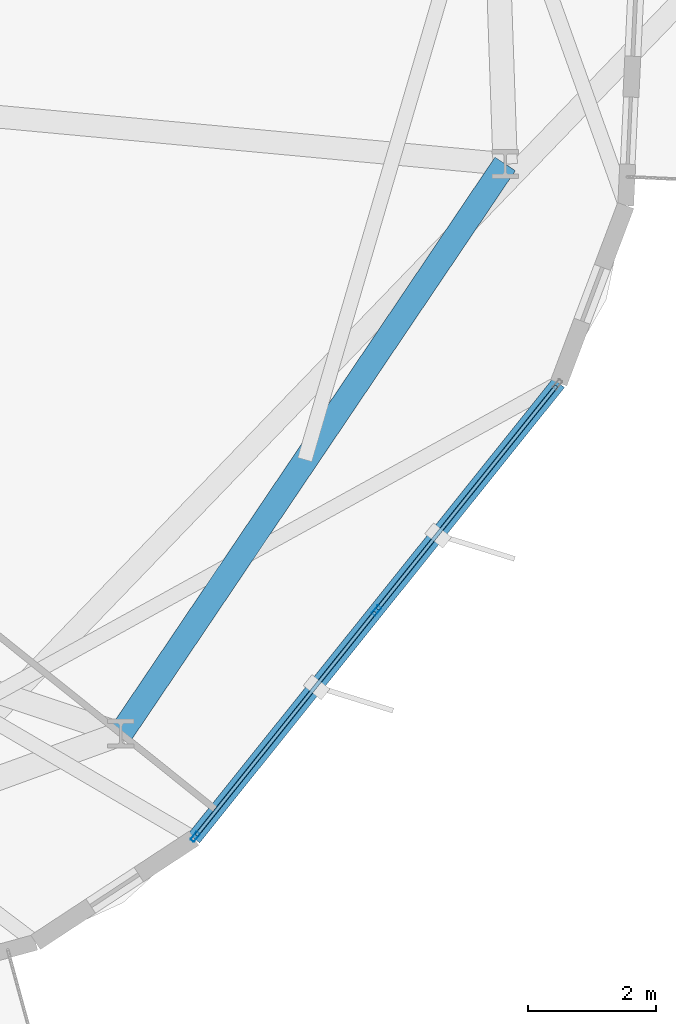
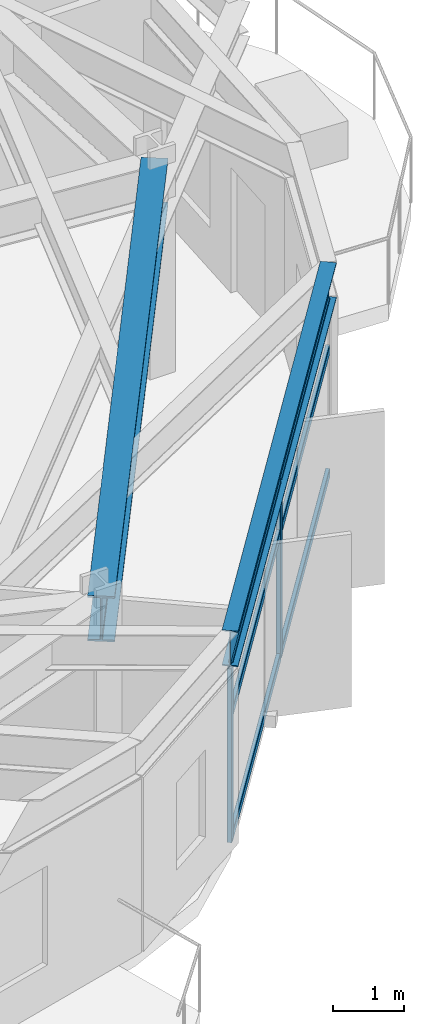
# One storey, part 8 of 25: 8 members, 2 beams, 1 element without a shape of its own.
"""IFC4 building model written with IfcOpenShell, lengths in metres."""

import ifcopenshell
import ifcopenshell.guid

model = None  # the IFC model being written
_history = None  # IfcOwnerHistory: only IFC2X3 demands one
_inside = {}  # id of a spatial element -> (the spatial element, [elements in it])
_under = {}  # id of a project, library or spatial element -> (it, [spatial elements below it])
_declared = {}  # id of a project -> (the project, [libraries it declares])
_typed = {}  # id of a type object -> (the type object, [elements of that type])
_made_of = {}  # id of a material, layer set ... -> (it, [elements and type objects made of it])


def new_model(schema):
    """Start an empty IFC model of exactly this schema.

    Asked for "IFC4X3", IfcOpenShell would pick the latest addendum, in which some entities
    have other attributes; the version numbers below select the first issue.
    IFC2X3 requires an IfcOwnerHistory on every rooted entity: one is made here for all.
    """
    global model, _history
    if schema == "IFC4X3":
        model = ifcopenshell.file(schema_version=(4, 3, 0, 0))
    else:
        model = ifcopenshell.file(schema=schema)
    _inside.clear()
    _under.clear()
    _declared.clear()
    _typed.clear()
    _made_of.clear()
    _history = None
    if model.schema == "IFC2X3":
        org = make("IfcOrganization", Name="unknown")
        user = make(
            "IfcPersonAndOrganization",
            ThePerson=make("IfcPerson", FamilyName="unknown"),
            TheOrganization=org,
        )
        app = make(
            "IfcApplication",
            ApplicationDeveloper=org,
            Version="unknown",
            ApplicationFullName="unknown",
            ApplicationIdentifier="unknown",
        )
        _history = make(
            "IfcOwnerHistory",
            OwningUser=user,
            OwningApplication=app,
            ChangeAction="ADDED",
            CreationDate=0,
        )
    return model


def make(cls, **values):
    """One entity of the class cls with the attributes given. An attribute that is None is left unset."""
    return model.create_entity(
        cls, **{name: value for name, value in values.items() if value is not None}
    )


def rooted(cls, **values):
    """An entity with a GlobalId (a new one), such as an element, a storey or a relation."""
    return make(cls, GlobalId=ifcopenshell.guid.new(), OwnerHistory=_history, **values)


def si_unit(unit_type, name, prefix=None):
    """IfcSIUnit, for example si_unit("LENGTHUNIT", "METRE", prefix="MILLI")."""
    return make("IfcSIUnit", UnitType=unit_type, Prefix=prefix, Name=name)


def assignment(units):
    """IfcUnitAssignment: the units of a project."""
    return None if units is None else make("IfcUnitAssignment", Units=units)


def point(xyz):
    """IfcCartesianPoint."""
    return None if xyz is None else make("IfcCartesianPoint", Coordinates=xyz)


def direction(xyz):
    """IfcDirection."""
    return None if xyz is None else make("IfcDirection", DirectionRatios=xyz)


def frame(location, z_axis=None, x_axis=None):
    """IfcAxis2Placement3D, a coordinate frame: its origin and axes. An axis left out is left unset."""
    return make(
        "IfcAxis2Placement3D",
        Location=point(location),
        Axis=direction(z_axis),
        RefDirection=direction(x_axis),
    )


def frame_2d(location, x_axis=None):
    """IfcAxis2Placement2D, a coordinate frame in the plane: its origin and x axis."""
    return make(
        "IfcAxis2Placement2D", Location=point(location), RefDirection=direction(x_axis)
    )


def origin():
    """The frame at (0, 0, 0) with its axes left unset."""
    return frame((0.0, 0.0, 0.0))


def origin_2d():
    """The frame at (0, 0) in the plane with its x axis left unset."""
    return frame_2d((0.0, 0.0))


def place(relative_to, where):
    """IfcLocalPlacement: puts the frame where relative to a parent placement (None: the world)."""
    return make(
        "IfcLocalPlacement", PlacementRelTo=relative_to, RelativePlacement=where
    )


def context(
    kind, dimensions, precision=None, world=None, true_north=None, identifier=None
):
    """IfcGeometricRepresentationContext, for example the 3D "Model" context."""
    return make(
        "IfcGeometricRepresentationContext",
        ContextIdentifier=identifier,
        ContextType=kind,
        CoordinateSpaceDimension=dimensions,
        Precision=precision,
        WorldCoordinateSystem=world,
        TrueNorth=true_north,
    )


def subcontext(parent, identifier, kind, view, scale=None):
    """IfcGeometricRepresentationSubContext, for example "Body" below "Model"."""
    return make(
        "IfcGeometricRepresentationSubContext",
        ContextIdentifier=identifier,
        ContextType=kind,
        ParentContext=parent,
        TargetScale=scale,
        TargetView=view,
    )


def project(units=None, contexts=None):
    """IfcProject with its units and contexts."""
    return rooted(
        "IfcProject",
        Name="project",
        RepresentationContexts=contexts,
        UnitsInContext=assignment(units),
    )


def spatial(cls, under=None, at=None, **own):
    """A site, building, storey or space (cls), placed at a placement, below another one or the project."""
    s = rooted(cls, ObjectPlacement=at, **own)
    if under is not None:
        _under.setdefault(under.id(), (under, []))[1].append(s)
    return s


def profile(cls, at=None, kind="AREA", **sizes):
    """A parametric profile (cls). Its sizes go by their IFC names, for example OverallWidth=200.0."""
    return make(cls, ProfileType=kind, Position=at, **sizes)


def hollow_rectangle(**sizes):
    """IfcRectangleHollowProfileDef."""
    return profile("IfcRectangleHollowProfileDef", **sizes)


def i_section(**sizes):
    """IfcIShapeProfileDef."""
    return profile("IfcIShapeProfileDef", **sizes)


def extrude(swept, where, along, depth):
    """IfcExtrudedAreaSolid: the profile swept, set in the frame where, extruded along a direction by depth."""
    return make(
        "IfcExtrudedAreaSolid",
        SweptArea=swept,
        Position=where,
        ExtrudedDirection=direction(along),
        Depth=depth,
    )


def shape(context_of_items, identifier, shape_type, items):
    """IfcShapeRepresentation: the items that make up one representation, for example the "Body"."""
    return make(
        "IfcShapeRepresentation",
        ContextOfItems=context_of_items,
        RepresentationIdentifier=identifier,
        RepresentationType=shape_type,
        Items=items,
    )


def material(Name=None, Category=None):
    """IfcMaterial."""
    return make("IfcMaterial", Name=Name, Category=Category)


def layer(
    of_material, thickness, ventilated=None, Name=None, Category=None, Priority=None
):
    """IfcMaterialLayer: one layer of a wall or slab, of a material (None: an air gap)."""
    return make(
        "IfcMaterialLayer",
        Material=of_material,
        LayerThickness=thickness,
        IsVentilated=ventilated,
        Name=Name,
        Category=Category,
        Priority=Priority,
    )


def layer_set(layers, Name=None):
    """IfcMaterialLayerSet."""
    return make("IfcMaterialLayerSet", MaterialLayers=layers, LayerSetName=Name)


def material_profile(
    of_material, cross_section, Name=None, Category=None, Priority=None
):
    """IfcMaterialProfile: a cross section and its material."""
    return make(
        "IfcMaterialProfile",
        Name=Name,
        Material=of_material,
        Profile=cross_section,
        Priority=Priority,
        Category=Category,
    )


def profile_set(profiles, Name=None, composite=None):
    """IfcMaterialProfileSet."""
    return make(
        "IfcMaterialProfileSet",
        Name=Name,
        MaterialProfiles=profiles,
        CompositeProfile=composite,
    )


def made_of(thing, what):
    """Note that an element or type object is made of a material, layer set ...; save() writes the relation."""
    if what is not None:
        _made_of.setdefault(what.id(), (what, []))[1].append(thing)
    return thing


def type_object(cls, material=None, **own):
    """A type object (cls), such as IfcWallType, which elements share."""
    return made_of(rooted(cls, **own), material)


def element(
    cls,
    number,
    at=None,
    inside=None,
    cuts=None,
    type_object=None,
    material=None,
    context=None,
    identifier="Body",
    shape_type=None,
    held_by="IfcProductDefinitionShape",
    body=None,
    shapes=None,
    **own,
):
    """One element of the class cls, such as IfcWall. Its Tag is "e" and its number.

    at: its placement. inside: the storey or other place that contains it. cuts: it is an
    opening in that element (IfcRelVoidsElement). A single representation is given by context,
    identifier, shape_type and body (its items); several are given by shapes. held_by: the class
    of the entity that holds the representations. save() writes the other relations.
    """
    e = rooted(cls, Tag="e%d" % number, ObjectPlacement=at, **own)
    if body is not None:
        shapes = [shape(context, identifier, shape_type, body)]
    if shapes is not None:
        e.Representation = make(held_by, Representations=shapes)
    if inside is not None:
        _inside.setdefault(inside.id(), (inside, []))[1].append(e)
    if cuts is not None:
        rooted(
            "IfcRelVoidsElement", RelatingBuildingElement=cuts, RelatedOpeningElement=e
        )
    if type_object is not None:
        _typed.setdefault(type_object.id(), (type_object, []))[1].append(e)
    return made_of(e, material)


def aggregate(whole, parts):
    """IfcRelAggregates: a whole, such as a stair, and the parts it consists of."""
    return rooted("IfcRelAggregates", RelatingObject=whole, RelatedObjects=parts)


def save(model, path):
    """Write the relations noted so far, then the file.

    IfcRelAggregates (storeys below a building ...), IfcRelContainedInSpatialStructure (elements
    in a storey), IfcRelDefinesByType, IfcRelAssociatesMaterial and IfcRelDeclares: one each for
    every whole, place, type object, material and project.
    """
    for whole, parts in _under.values():
        aggregate(whole, parts)
    for where, things in _inside.values():
        rooted(
            "IfcRelContainedInSpatialStructure",
            RelatedElements=things,
            RelatingStructure=where,
        )
    for kind, things in _typed.values():
        rooted("IfcRelDefinesByType", RelatedObjects=things, RelatingType=kind)
    for what, things in _made_of.values():
        rooted("IfcRelAssociatesMaterial", RelatedObjects=things, RelatingMaterial=what)
    for by, libraries in _declared.values():
        rooted("IfcRelDeclares", RelatingContext=by, RelatedDefinitions=libraries)
    model.write(path)


model = new_model("IFC4")

# Units and contexts
model_context = context("Model", 3, precision=1e-05, world=origin(), true_north=direction((0.0, 1.0)))
body_context = subcontext(model_context, "Body", "Model", "MODEL_VIEW")
ifc_project = project(units=[si_unit("LENGTHUNIT", "METRE"), si_unit("AREAUNIT", "SQUARE_METRE"), si_unit("VOLUMEUNIT", "CUBIC_METRE"), si_unit("PLANEANGLEUNIT", "RADIAN"), si_unit("MASSUNIT", "GRAM", prefix="KILO")], contexts=[model_context])

# Site, building, storey
site_placement = place(None, origin())
site = spatial("IfcSite", under=ifc_project, at=site_placement, CompositionType="ELEMENT")
building_placement = place(site_placement, origin())
building = spatial("IfcBuilding", under=site, at=building_placement, Name="Soratama Intermodal Tower", CompositionType="ELEMENT")
storey_placement = place(building_placement, frame((0.0, 0.0, 87.39990234375)))
storey = spatial("IfcBuildingStorey", under=building, at=storey_placement, Name="L20", CompositionType="ELEMENT", Elevation=87.39990234375)

# Beams
ifc_material_1 = material(Name="Structural steel ASTM A992 Grade 50", Category="steel")
ifc_material_profile_1 = material_profile(ifc_material_1, i_section(OverallWidth=0.382080078125, OverallDepth=0.779052734375, WebThickness=0.01806640625, FlangeThickness=0.030029296875, FilletRadius=0.01806640625, at=origin_2d()), Name="W30X191")
ifc_profile_set_1 = profile_set([ifc_material_profile_1], Name="Structural steel ASTM A992 Grade 50")
beam_type_1 = type_object("IfcBeamType", Name="BM-RING-W30X191", PredefinedType="BEAM", material=ifc_profile_set_1)
beam_1_placement = place(storey_placement, frame((55.7119140625, 11.2890625, 3.210693359375), z_axis=(0.559249807749, 0.828999187293, 0.0), x_axis=(-0.828999187293, 0.559249807749, 0.0)))
element("IfcBeam", 1, at=beam_1_placement, inside=storey, type_object=beam_type_1, Name="BM-L20-RING-09", PredefinedType="BEAM", context=body_context, shape_type="SweptSolid", body=[
    extrude(i_section(OverallWidth=0.382080078125, OverallDepth=0.779052734375, WebThickness=0.01806640625, FlangeThickness=0.030029296875, FilletRadius=0.01806640625, at=origin_2d()), origin(), (0.0, 0.0, 1.0), 10.75390625),
])
ifc_material_2 = material(Name="Structural steel ASTM A992 Grade 50", Category="steel")
ifc_material_profile_2 = material_profile(ifc_material_2, i_section(OverallWidth=0.22900390625, OverallDepth=0.612060546875, WebThickness=0.011962890625, FlangeThickness=0.01953125, FilletRadius=0.012939453125, at=origin_2d()), Name="W24X84")
ifc_profile_set_2 = profile_set([ifc_material_profile_2], Name="Structural steel ASTM A992 Grade 50")
beam_type_2 = type_object("IfcBeamType", Name="BM-SPN-W24X84", PredefinedType="SPANDREL", material=ifc_profile_set_2)
beam_2_placement = place(storey_placement, frame((56.85595703125, 9.652099609375, 3.294189453125), z_axis=(0.625229742547, 0.780440753058, 0.0), x_axis=(-0.780440753058, 0.625229742547, 0.0)))
element("IfcBeam", 2, at=beam_2_placement, inside=storey, type_object=beam_type_2, Name="BS-L20-F09", PredefinedType="SPANDREL", context=body_context, shape_type="SweptSolid", body=[
    extrude(i_section(OverallWidth=0.22900390625, OverallDepth=0.612060546875, WebThickness=0.011962890625, FlangeThickness=0.01953125, FilletRadius=0.012939453125, at=origin_2d()), origin(), (0.0, 0.0, 1.0), 9.12939453125),
])

# Curtain wall, members
ifc_material_3 = material(Name="Double-glazed aluminium curtain wall", Category="aluminium")
ifc_layer = layer(ifc_material_3, 0.159912109375)
ifc_layer_set = layer_set([ifc_layer], Name="Double-glazed aluminium curtain wall")
curtain_wall_type = type_object("IfcCurtainWallType", Name="CW-SYS-3", PredefinedType="NOTDEFINED", material=ifc_layer_set)
curtain_wall_placement = place(storey_placement, origin())
curtain_wall = element("IfcCurtainWall", 3, at=curtain_wall_placement, inside=storey, type_object=curtain_wall_type, Name="L20 Faceted Curtain Wall F09", PredefinedType="NOTDEFINED")
ifc_material_4 = material(Name="Anodised aluminium AA 6063-T6", Category="aluminium")
ifc_material_profile_3 = material_profile(ifc_material_4, hollow_rectangle(XDim=0.070068359375, YDim=0.159912109375, WallThickness=0.0048828125, InnerFilletRadius=0.0048828125, OuterFilletRadius=0.010009765625, at=origin_2d()), Name="CWM160X70X5")
ifc_profile_set_3 = profile_set([ifc_material_profile_3], Name="Anodised aluminium AA 6063-T6")
member_type_1 = type_object("IfcMemberType", Name="MT-CWM-3", PredefinedType="MULLION", material=ifc_profile_set_3)
member_1_placement = place(storey_placement, frame((56.875, 9.67578125, 0.0), z_axis=(0.0, 0.0, 1.0), x_axis=(-0.780431543802, 0.625241237795, 0.0)))
member_1 = element("IfcMember", 4, at=member_1_placement, type_object=member_type_1, Name="CW-3 mullion 1", PredefinedType="MULLION", context=body_context, shape_type="SweptSolid", body=[
    extrude(hollow_rectangle(XDim=0.070068359375, YDim=0.159912109375, WallThickness=0.0048828125, InnerFilletRadius=0.0048828125, OuterFilletRadius=0.010009765625, at=origin_2d()), origin(), (0.0, 0.0, 1.0), 2.97900390625),
])
member_2_placement = place(storey_placement, frame((59.710205078125, 13.21484375, 0.0), z_axis=(0.0, 0.0, 1.0), x_axis=(-0.780431543802, 0.625241237795, 0.0)))
member_2 = element("IfcMember", 5, at=member_2_placement, type_object=member_type_1, Name="CW-3 mullion 2", PredefinedType="MULLION", context=body_context, shape_type="SweptSolid", body=[
    extrude(hollow_rectangle(XDim=0.070068359375, YDim=0.159912109375, WallThickness=0.0048828125, InnerFilletRadius=0.0048828125, OuterFilletRadius=0.010009765625, at=origin_2d()), origin(), (0.0, 0.0, 1.0), 2.97900390625),
])
ifc_material_5 = material(Name="Anodised aluminium AA 6063-T6", Category="aluminium")
ifc_material_profile_4 = material_profile(ifc_material_5, hollow_rectangle(XDim=0.06494140625, YDim=0.14990234375, WallThickness=0.0048828125, InnerFilletRadius=0.0048828125, OuterFilletRadius=0.010009765625, at=origin_2d()), Name="CWT150X65X5")
ifc_profile_set_4 = profile_set([ifc_material_profile_4], Name="Anodised aluminium AA 6063-T6")
member_type_2 = type_object("IfcMemberType", Name="TT-CWT-1", PredefinedType="USERDEFINED", material=ifc_profile_set_4)
member_3_placement = place(storey_placement, frame((56.893798828125, 9.69921875, 0.030029296875), z_axis=(0.625220559768, 0.780448109514, 0.0), x_axis=(-0.780448109514, 0.625220559768, 0.0)))
member_3 = element("IfcMember", 6, at=member_3_placement, type_object=member_type_2, Name="CW-3 transom 1.1", ObjectType="TRANSOM", PredefinedType="USERDEFINED", context=body_context, shape_type="SweptSolid", body=[
    extrude(hollow_rectangle(XDim=0.06494140625, YDim=0.14990234375, WallThickness=0.0048828125, InnerFilletRadius=0.0048828125, OuterFilletRadius=0.010009765625, at=origin_2d()), origin(), (0.0, 0.0, 1.0), 4.474609375),
])
member_4_placement = place(storey_placement, frame((56.893798828125, 9.69921875, 2.150146484375), z_axis=(0.625220559768, 0.780448109514, 0.0), x_axis=(-0.780448109514, 0.625220559768, 0.0)))
member_4 = element("IfcMember", 7, at=member_4_placement, type_object=member_type_2, Name="CW-3 transom 1.2", ObjectType="TRANSOM", PredefinedType="USERDEFINED", context=body_context, shape_type="SweptSolid", body=[
    extrude(hollow_rectangle(XDim=0.06494140625, YDim=0.14990234375, WallThickness=0.0048828125, InnerFilletRadius=0.0048828125, OuterFilletRadius=0.010009765625, at=origin_2d()), origin(), (0.0, 0.0, 1.0), 4.474609375),
])
member_5_placement = place(storey_placement, frame((56.893798828125, 9.69921875, 2.94921875), z_axis=(0.625220559768, 0.780448109514, 0.0), x_axis=(-0.780448109514, 0.625220559768, 0.0)))
member_5 = element("IfcMember", 8, at=member_5_placement, type_object=member_type_2, Name="CW-3 transom 1.3", ObjectType="TRANSOM", PredefinedType="USERDEFINED", context=body_context, shape_type="SweptSolid", body=[
    extrude(hollow_rectangle(XDim=0.06494140625, YDim=0.14990234375, WallThickness=0.0048828125, InnerFilletRadius=0.0048828125, OuterFilletRadius=0.010009765625, at=origin_2d()), origin(), (0.0, 0.0, 1.0), 4.474609375),
])
member_6_placement = place(storey_placement, frame((59.72900390625, 13.23828125, 0.030029296875), z_axis=(0.625253791454, 0.780421486296, 0.0), x_axis=(-0.780421486296, 0.625253791454, 0.0)))
member_6 = element("IfcMember", 9, at=member_6_placement, type_object=member_type_2, Name="CW-3 transom 2.1", ObjectType="TRANSOM", PredefinedType="USERDEFINED", context=body_context, shape_type="SweptSolid", body=[
    extrude(hollow_rectangle(XDim=0.06494140625, YDim=0.14990234375, WallThickness=0.0048828125, InnerFilletRadius=0.0048828125, OuterFilletRadius=0.010009765625, at=origin_2d()), origin(), (0.0, 0.0, 1.0), 4.474853515625),
])
member_7_placement = place(storey_placement, frame((59.72900390625, 13.23828125, 2.150146484375), z_axis=(0.625253791454, 0.780421486296, 0.0), x_axis=(-0.780421486296, 0.625253791454, 0.0)))
member_7 = element("IfcMember", 10, at=member_7_placement, type_object=member_type_2, Name="CW-3 transom 2.2", ObjectType="TRANSOM", PredefinedType="USERDEFINED", context=body_context, shape_type="SweptSolid", body=[
    extrude(hollow_rectangle(XDim=0.06494140625, YDim=0.14990234375, WallThickness=0.0048828125, InnerFilletRadius=0.0048828125, OuterFilletRadius=0.010009765625, at=origin_2d()), origin(), (0.0, 0.0, 1.0), 4.474853515625),
])
member_8_placement = place(storey_placement, frame((59.72900390625, 13.23828125, 2.94921875), z_axis=(0.625253791454, 0.780421486296, 0.0), x_axis=(-0.780421486296, 0.625253791454, 0.0)))
member_8 = element("IfcMember", 11, at=member_8_placement, type_object=member_type_2, Name="CW-3 transom 2.3", ObjectType="TRANSOM", PredefinedType="USERDEFINED", context=body_context, shape_type="SweptSolid", body=[
    extrude(hollow_rectangle(XDim=0.06494140625, YDim=0.14990234375, WallThickness=0.0048828125, InnerFilletRadius=0.0048828125, OuterFilletRadius=0.010009765625, at=origin_2d()), origin(), (0.0, 0.0, 1.0), 4.474853515625),
])
aggregate(curtain_wall, [member_1, member_2, member_3, member_4, member_5, member_6, member_7, member_8])

save(model, "model.ifc")
